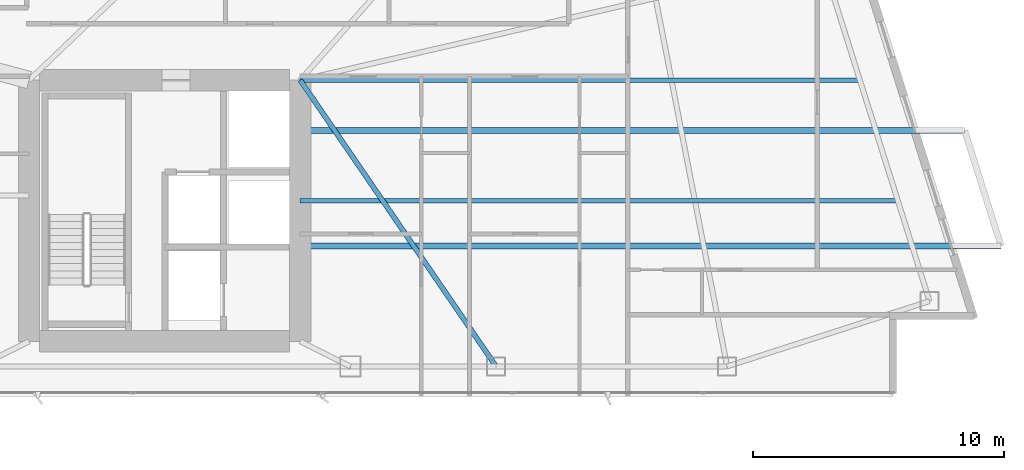
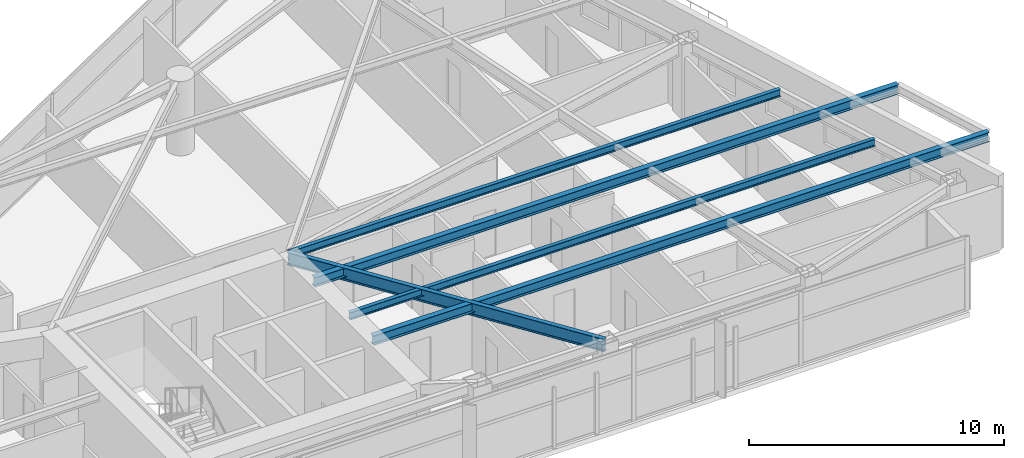
# One storey, part 13 of 29: 5 beams.
"""IFC4 building model written with IfcOpenShell, lengths in metres."""

import ifcopenshell
import ifcopenshell.guid

model = None  # the IFC model being written
_history = None  # IfcOwnerHistory: only IFC2X3 demands one
_inside = {}  # id of a spatial element -> (the spatial element, [elements in it])
_under = {}  # id of a project, library or spatial element -> (it, [spatial elements below it])
_declared = {}  # id of a project -> (the project, [libraries it declares])
_typed = {}  # id of a type object -> (the type object, [elements of that type])
_made_of = {}  # id of a material, layer set ... -> (it, [elements and type objects made of it])


def new_model(schema):
    """Start an empty IFC model of exactly this schema.

    Asked for "IFC4X3", IfcOpenShell would pick the latest addendum, in which some entities
    have other attributes; the version numbers below select the first issue.
    IFC2X3 requires an IfcOwnerHistory on every rooted entity: one is made here for all.
    """
    global model, _history
    if schema == "IFC4X3":
        model = ifcopenshell.file(schema_version=(4, 3, 0, 0))
    else:
        model = ifcopenshell.file(schema=schema)
    _inside.clear()
    _under.clear()
    _declared.clear()
    _typed.clear()
    _made_of.clear()
    _history = None
    if model.schema == "IFC2X3":
        org = make("IfcOrganization", Name="unknown")
        user = make(
            "IfcPersonAndOrganization",
            ThePerson=make("IfcPerson", FamilyName="unknown"),
            TheOrganization=org,
        )
        app = make(
            "IfcApplication",
            ApplicationDeveloper=org,
            Version="unknown",
            ApplicationFullName="unknown",
            ApplicationIdentifier="unknown",
        )
        _history = make(
            "IfcOwnerHistory",
            OwningUser=user,
            OwningApplication=app,
            ChangeAction="ADDED",
            CreationDate=0,
        )
    return model


def make(cls, **values):
    """One entity of the class cls with the attributes given. An attribute that is None is left unset."""
    return model.create_entity(
        cls, **{name: value for name, value in values.items() if value is not None}
    )


def rooted(cls, **values):
    """An entity with a GlobalId (a new one), such as an element, a storey or a relation."""
    return make(cls, GlobalId=ifcopenshell.guid.new(), OwnerHistory=_history, **values)


def si_unit(unit_type, name, prefix=None):
    """IfcSIUnit, for example si_unit("LENGTHUNIT", "METRE", prefix="MILLI")."""
    return make("IfcSIUnit", UnitType=unit_type, Prefix=prefix, Name=name)


def assignment(units):
    """IfcUnitAssignment: the units of a project."""
    return None if units is None else make("IfcUnitAssignment", Units=units)


def point(xyz):
    """IfcCartesianPoint."""
    return None if xyz is None else make("IfcCartesianPoint", Coordinates=xyz)


def direction(xyz):
    """IfcDirection."""
    return None if xyz is None else make("IfcDirection", DirectionRatios=xyz)


def frame(location, z_axis=None, x_axis=None):
    """IfcAxis2Placement3D, a coordinate frame: its origin and axes. An axis left out is left unset."""
    return make(
        "IfcAxis2Placement3D",
        Location=point(location),
        Axis=direction(z_axis),
        RefDirection=direction(x_axis),
    )


def frame_2d(location, x_axis=None):
    """IfcAxis2Placement2D, a coordinate frame in the plane: its origin and x axis."""
    return make(
        "IfcAxis2Placement2D", Location=point(location), RefDirection=direction(x_axis)
    )


def origin():
    """The frame at (0, 0, 0) with its axes left unset."""
    return frame((0.0, 0.0, 0.0))


def origin_2d():
    """The frame at (0, 0) in the plane with its x axis left unset."""
    return frame_2d((0.0, 0.0))


def place(relative_to, where):
    """IfcLocalPlacement: puts the frame where relative to a parent placement (None: the world)."""
    return make(
        "IfcLocalPlacement", PlacementRelTo=relative_to, RelativePlacement=where
    )


def context(
    kind, dimensions, precision=None, world=None, true_north=None, identifier=None
):
    """IfcGeometricRepresentationContext, for example the 3D "Model" context."""
    return make(
        "IfcGeometricRepresentationContext",
        ContextIdentifier=identifier,
        ContextType=kind,
        CoordinateSpaceDimension=dimensions,
        Precision=precision,
        WorldCoordinateSystem=world,
        TrueNorth=true_north,
    )


def subcontext(parent, identifier, kind, view, scale=None):
    """IfcGeometricRepresentationSubContext, for example "Body" below "Model"."""
    return make(
        "IfcGeometricRepresentationSubContext",
        ContextIdentifier=identifier,
        ContextType=kind,
        ParentContext=parent,
        TargetScale=scale,
        TargetView=view,
    )


def project(units=None, contexts=None):
    """IfcProject with its units and contexts."""
    return rooted(
        "IfcProject",
        Name="project",
        RepresentationContexts=contexts,
        UnitsInContext=assignment(units),
    )


def spatial(cls, under=None, at=None, **own):
    """A site, building, storey or space (cls), placed at a placement, below another one or the project."""
    s = rooted(cls, ObjectPlacement=at, **own)
    if under is not None:
        _under.setdefault(under.id(), (under, []))[1].append(s)
    return s


def profile(cls, at=None, kind="AREA", **sizes):
    """A parametric profile (cls). Its sizes go by their IFC names, for example OverallWidth=200.0."""
    return make(cls, ProfileType=kind, Position=at, **sizes)


def i_section(**sizes):
    """IfcIShapeProfileDef."""
    return profile("IfcIShapeProfileDef", **sizes)


def extrude(swept, where, along, depth):
    """IfcExtrudedAreaSolid: the profile swept, set in the frame where, extruded along a direction by depth."""
    return make(
        "IfcExtrudedAreaSolid",
        SweptArea=swept,
        Position=where,
        ExtrudedDirection=direction(along),
        Depth=depth,
    )


def shape(context_of_items, identifier, shape_type, items):
    """IfcShapeRepresentation: the items that make up one representation, for example the "Body"."""
    return make(
        "IfcShapeRepresentation",
        ContextOfItems=context_of_items,
        RepresentationIdentifier=identifier,
        RepresentationType=shape_type,
        Items=items,
    )


def material(Name=None, Category=None):
    """IfcMaterial."""
    return make("IfcMaterial", Name=Name, Category=Category)


def material_profile(
    of_material, cross_section, Name=None, Category=None, Priority=None
):
    """IfcMaterialProfile: a cross section and its material."""
    return make(
        "IfcMaterialProfile",
        Name=Name,
        Material=of_material,
        Profile=cross_section,
        Priority=Priority,
        Category=Category,
    )


def profile_set(profiles, Name=None, composite=None):
    """IfcMaterialProfileSet."""
    return make(
        "IfcMaterialProfileSet",
        Name=Name,
        MaterialProfiles=profiles,
        CompositeProfile=composite,
    )


def made_of(thing, what):
    """Note that an element or type object is made of a material, layer set ...; save() writes the relation."""
    if what is not None:
        _made_of.setdefault(what.id(), (what, []))[1].append(thing)
    return thing


def type_object(cls, material=None, **own):
    """A type object (cls), such as IfcWallType, which elements share."""
    return made_of(rooted(cls, **own), material)


def element(
    cls,
    number,
    at=None,
    inside=None,
    cuts=None,
    type_object=None,
    material=None,
    context=None,
    identifier="Body",
    shape_type=None,
    held_by="IfcProductDefinitionShape",
    body=None,
    shapes=None,
    **own,
):
    """One element of the class cls, such as IfcWall. Its Tag is "e" and its number.

    at: its placement. inside: the storey or other place that contains it. cuts: it is an
    opening in that element (IfcRelVoidsElement). A single representation is given by context,
    identifier, shape_type and body (its items); several are given by shapes. held_by: the class
    of the entity that holds the representations. save() writes the other relations.
    """
    e = rooted(cls, Tag="e%d" % number, ObjectPlacement=at, **own)
    if body is not None:
        shapes = [shape(context, identifier, shape_type, body)]
    if shapes is not None:
        e.Representation = make(held_by, Representations=shapes)
    if inside is not None:
        _inside.setdefault(inside.id(), (inside, []))[1].append(e)
    if cuts is not None:
        rooted(
            "IfcRelVoidsElement", RelatingBuildingElement=cuts, RelatedOpeningElement=e
        )
    if type_object is not None:
        _typed.setdefault(type_object.id(), (type_object, []))[1].append(e)
    return made_of(e, material)


def aggregate(whole, parts):
    """IfcRelAggregates: a whole, such as a stair, and the parts it consists of."""
    return rooted("IfcRelAggregates", RelatingObject=whole, RelatedObjects=parts)


def save(model, path):
    """Write the relations noted so far, then the file.

    IfcRelAggregates (storeys below a building ...), IfcRelContainedInSpatialStructure (elements
    in a storey), IfcRelDefinesByType, IfcRelAssociatesMaterial and IfcRelDeclares: one each for
    every whole, place, type object, material and project.
    """
    for whole, parts in _under.values():
        aggregate(whole, parts)
    for where, things in _inside.values():
        rooted(
            "IfcRelContainedInSpatialStructure",
            RelatedElements=things,
            RelatingStructure=where,
        )
    for kind, things in _typed.values():
        rooted("IfcRelDefinesByType", RelatedObjects=things, RelatingType=kind)
    for what, things in _made_of.values():
        rooted("IfcRelAssociatesMaterial", RelatedObjects=things, RelatingMaterial=what)
    for by, libraries in _declared.values():
        rooted("IfcRelDeclares", RelatingContext=by, RelatedDefinitions=libraries)
    model.write(path)


model = new_model("IFC4")

# Units and contexts
model_context = context("Model", 3, precision=1e-05, world=origin(), true_north=direction((0.0, 1.0)))
body_context = subcontext(model_context, "Body", "Model", "MODEL_VIEW")
ifc_project = project(units=[si_unit("LENGTHUNIT", "METRE"), si_unit("AREAUNIT", "SQUARE_METRE"), si_unit("VOLUMEUNIT", "CUBIC_METRE"), si_unit("PLANEANGLEUNIT", "RADIAN"), si_unit("MASSUNIT", "GRAM", prefix="KILO")], contexts=[model_context])

# Site, building, storey
site_placement = place(None, origin())
site = spatial("IfcSite", under=ifc_project, at=site_placement, CompositionType="ELEMENT")
building_placement = place(site_placement, origin())
building = spatial("IfcBuilding", under=site, at=building_placement, Name="Calvorn Quay Hotel", CompositionType="ELEMENT")
storey_placement = place(building_placement, frame((0.0, 0.0, 163.699951171875)))
storey = spatial("IfcBuildingStorey", under=building, at=storey_placement, Name="L40", CompositionType="ELEMENT", Elevation=163.699951171875)

# Beams
ifc_material_1 = material(Name="Steel Q355B", Category="steel")
ifc_material_profile_1 = material_profile(ifc_material_1, i_section(OverallWidth=0.25, OverallDepth=0.449951171875, WebThickness=0.011962890625, FlangeThickness=0.01611328125, FilletRadius=0.01611328125, at=origin_2d()), Name="HN450x250x12x16")
ifc_profile_set_1 = profile_set([ifc_material_profile_1], Name="Steel Q355B")
beam_type_1 = type_object("IfcBeamType", Name="BM-CANT-BALC", PredefinedType="BEAM", material=ifc_profile_set_1)
beam_1_placement = place(storey_placement, frame((32.39990234375, 8.39990234375, 3.31494140625), z_axis=(1.0, 0.0, 0.0), x_axis=(0.0, 1.0, 0.0)))
element("IfcBeam", 1, at=beam_1_placement, inside=storey, type_object=beam_type_1, Name="Cantilever Balcony Beam BCB-L41-1A", PredefinedType="BEAM", context=body_context, shape_type="SweptSolid", body=[
    extrude(i_section(OverallWidth=0.25, OverallDepth=0.449951171875, WebThickness=0.011962890625, FlangeThickness=0.01611328125, FilletRadius=0.01611328125, at=origin_2d()), origin(), (0.0, 0.0, 1.0), 27.908203125),
])
beam_2_placement = place(storey_placement, frame((32.39990234375, 13.0, 3.31494140625), z_axis=(1.0, 0.0, 0.0), x_axis=(0.0, 1.0, 0.0)))
element("IfcBeam", 2, at=beam_2_placement, inside=storey, type_object=beam_type_1, Name="Cantilever Balcony Beam BCB-L41-1B", PredefinedType="BEAM", context=body_context, shape_type="SweptSolid", body=[
    extrude(i_section(OverallWidth=0.25, OverallDepth=0.449951171875, WebThickness=0.011962890625, FlangeThickness=0.01611328125, FilletRadius=0.01611328125, at=origin_2d()), origin(), (0.0, 0.0, 1.0), 26.4580078125),
])
ifc_material_2 = material(Name="Steel Q355B", Category="steel")
ifc_material_profile_2 = material_profile(ifc_material_2, i_section(OverallWidth=0.199951171875, OverallDepth=0.60009765625, WebThickness=0.010986328125, FlangeThickness=0.01708984375, FilletRadius=0.01806640625, at=origin_2d()), Name="HN600x200x11x17")
ifc_profile_set_2 = profile_set([ifc_material_profile_2], Name="Steel Q355B")
beam_type_2 = type_object("IfcBeamType", Name="BM-GIRD-TYP", PredefinedType="BEAM", material=ifc_profile_set_2)
beam_3_placement = place(storey_placement, frame((40.199951171875, 3.60009765625, 3.239990234375), z_axis=(-0.564689618177, 0.825303359452, 0.0), x_axis=(-0.825303359452, -0.564689618177, 0.0)))
element("IfcBeam", 3, at=beam_3_placement, inside=storey, type_object=beam_type_2, Name="Beam BG-L40-E6", PredefinedType="BEAM", context=body_context, shape_type="SweptSolid", body=[
    extrude(i_section(OverallWidth=0.199951171875, OverallDepth=0.60009765625, WebThickness=0.010986328125, FlangeThickness=0.01708984375, FilletRadius=0.01806640625, at=origin_2d()), origin(), (0.0, 0.0, 1.0), 13.81298828125),
])
ifc_material_3 = material(Name="Steel Q355B", Category="steel")
ifc_material_profile_3 = material_profile(ifc_material_3, i_section(OverallWidth=0.175048828125, OverallDepth=0.35009765625, WebThickness=0.007080078125, FlangeThickness=0.010986328125, FilletRadius=0.013916015625, at=origin_2d()), Name="HN350x175x7x11")
ifc_profile_set_3 = profile_set([ifc_material_profile_3], Name="Steel Q355B")
beam_type_3 = type_object("IfcBeamType", Name="BM-JOIST-SEC", PredefinedType="JOIST", material=ifc_profile_set_3)
beam_4_placement = place(storey_placement, frame((32.39990234375, 10.199951171875, 3.364990234375), z_axis=(1.0, 0.0, 0.0), x_axis=(0.0, 1.0, 0.0)))
element("IfcBeam", 4, at=beam_4_placement, inside=storey, type_object=beam_type_3, Name="Beam BJ-L40-E1", PredefinedType="JOIST", context=body_context, shape_type="SweptSolid", body=[
    extrude(i_section(OverallWidth=0.175048828125, OverallDepth=0.35009765625, WebThickness=0.007080078125, FlangeThickness=0.010986328125, FilletRadius=0.013916015625, at=origin_2d()), origin(), (0.0, 0.0, 1.0), 23.801025390625),
])
beam_5_placement = place(storey_placement, frame((32.39990234375, 15.0, 3.364990234375), z_axis=(1.0, 0.0, 0.0), x_axis=(0.0, 1.0, 0.0)))
element("IfcBeam", 5, at=beam_5_placement, inside=storey, type_object=beam_type_3, Name="Beam BJ-L40-E2", PredefinedType="JOIST", context=body_context, shape_type="SweptSolid", body=[
    extrude(i_section(OverallWidth=0.175048828125, OverallDepth=0.35009765625, WebThickness=0.007080078125, FlangeThickness=0.010986328125, FilletRadius=0.013916015625, at=origin_2d()), origin(), (0.0, 0.0, 1.0), 22.2880859375),
])

save(model, "model.ifc")
